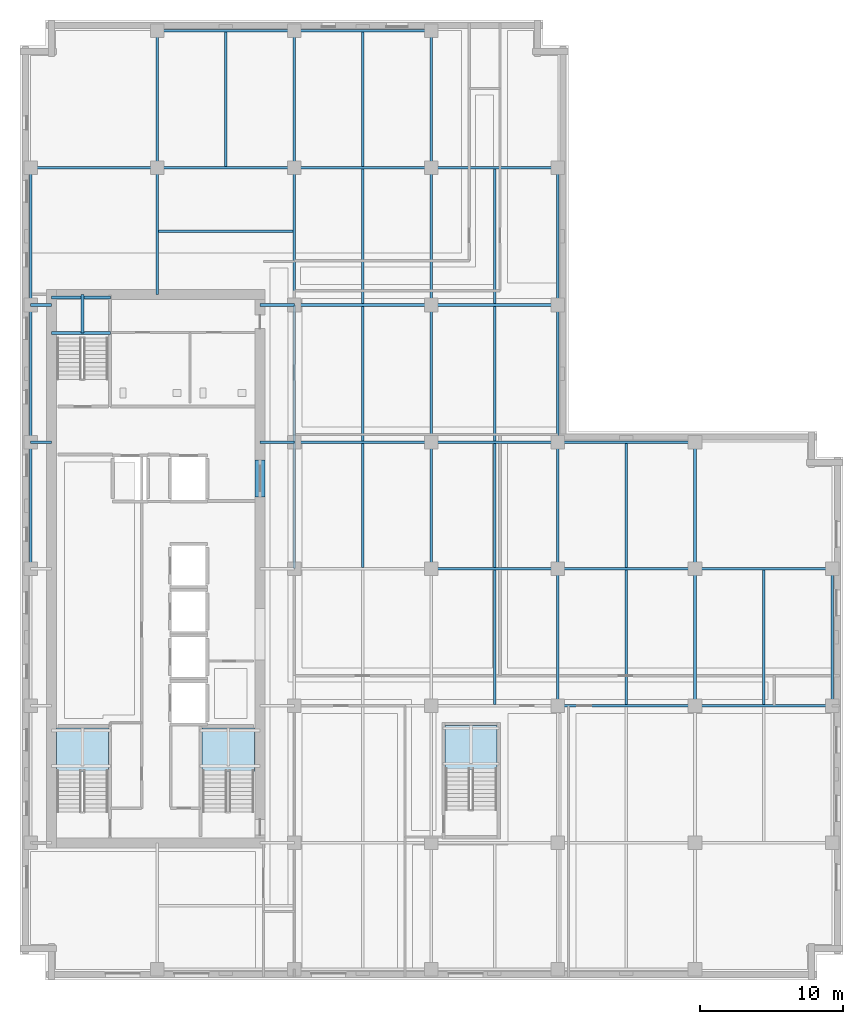
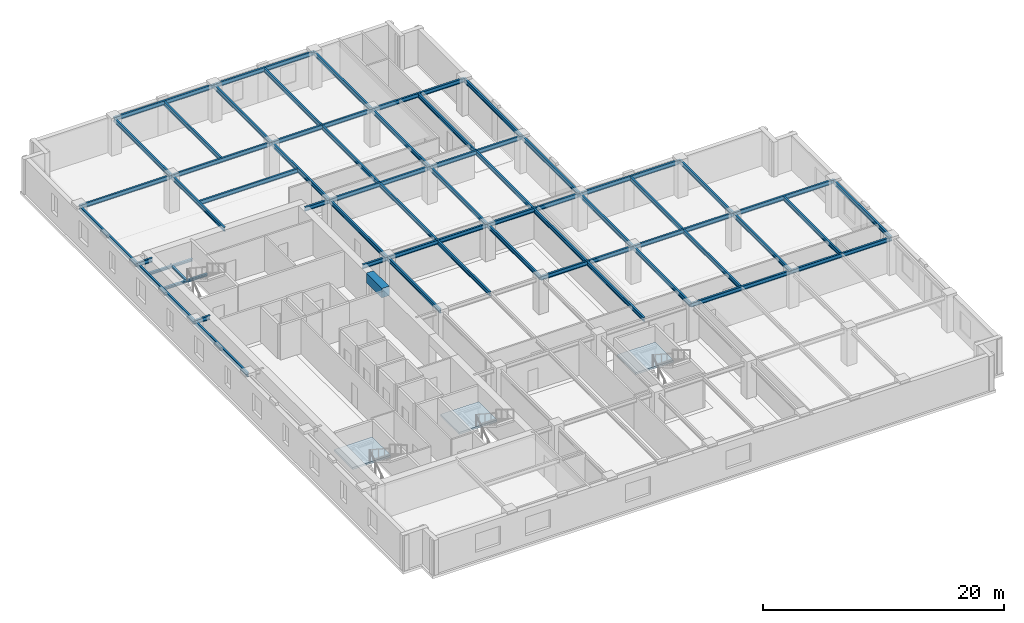
# One storey, part 2 of 13: 57 beams, 3 slabs, 3 elements without a shape of their own.
"""IFC4 building model written with IfcOpenShell, lengths in metres."""

from ifc_helpers import new_model, si_unit, direction, frame, origin, origin_2d, place, context, subcontext, project, spatial, polyline, rectangle, i_section, outline, extrude, material, layer, layer_set, material_profile, profile_set, type_object, element, aggregate, save


model = new_model("IFC4")

# Units and contexts
model_context = context("Model", 3, precision=1e-05, world=origin(), true_north=direction((0.0, 1.0)))
body_context = subcontext(model_context, "Body", "Model", "MODEL_VIEW")
ifc_project = project(units=[si_unit("LENGTHUNIT", "METRE"), si_unit("AREAUNIT", "SQUARE_METRE"), si_unit("VOLUMEUNIT", "CUBIC_METRE"), si_unit("PLANEANGLEUNIT", "RADIAN"), si_unit("MASSUNIT", "GRAM", prefix="KILO")], contexts=[model_context])

# Site, building, storey
site_placement = place(None, origin())
site = spatial("IfcSite", under=ifc_project, at=site_placement, CompositionType="ELEMENT")
building_placement = place(site_placement, origin())
building = spatial("IfcBuilding", under=site, at=building_placement, Name="Norrvale University Quadrangle", CompositionType="ELEMENT")
storey_placement = place(building_placement, frame((0.0, 0.0, 159.800048828125)))
storey = spatial("IfcBuildingStorey", under=building, at=storey_placement, Name="L40", CompositionType="ELEMENT", Elevation=159.800048828125)

# Beams
ifc_material_1 = material(Name="Steel 350W", Category="steel")
ifc_material_profile_1 = material_profile(ifc_material_1, i_section(OverallWidth=0.180908203125, OverallDepth=0.4169921875, WebThickness=0.010986328125, FlangeThickness=0.018310546875, FilletRadius=0.011962890625, at=origin_2d()), Name="Steel 350W")
ifc_profile_set_1 = profile_set([ifc_material_profile_1], Name="Steel 350W")
beam_type_1 = type_object("IfcBeamType", Name="Beam Atrium W410x85", PredefinedType="BEAM", material=ifc_profile_set_1)
for number, where, z_axis, x_axis, name in (
    (1, (37.64990234375, 19.199951171875, 3.33154296875), (1.0, 0.0, 0.0), (0.0, 1.0, 0.0), "Beam Atrium W410x85 BM-L40-GX011"),
    (2, (47.25, 19.199951171875, 3.33154296875), (1.0, 0.0, 0.0), (0.0, 1.0, 0.0), "Beam Atrium W410x85 BM-L40-GX012"),
):
    element("IfcBeam", number, at=place(storey_placement, frame(where, z_axis=z_axis, x_axis=x_axis)), inside=storey, type_object=beam_type_1, Name=name, PredefinedType="BEAM", context=body_context, shape_type="SweptSolid", body=[
        extrude(i_section(OverallWidth=0.180908203125, OverallDepth=0.4169921875, WebThickness=0.010986328125, FlangeThickness=0.018310546875, FilletRadius=0.011962890625, at=origin_2d()), origin(), (0.0, 0.0, 1.0), 9.60009765625),
    ])
beam_1_placement = place(storey_placement, frame((28.800048828125, 28.800048828125, 3.33154296875), z_axis=(1.0, 0.0, 0.0), x_axis=(0.0, 1.0, 0.0)))
element("IfcBeam", 3, at=beam_1_placement, inside=storey, type_object=beam_type_1, Name="Beam Atrium W410x85 BM-L40-GX014", PredefinedType="BEAM", context=body_context, shape_type="SweptSolid", body=[
    extrude(i_section(OverallWidth=0.180908203125, OverallDepth=0.4169921875, WebThickness=0.010986328125, FlangeThickness=0.018310546875, FilletRadius=0.011962890625, at=origin_2d()), origin(), (0.0, 0.0, 1.0), 8.849853515625),
])
for number, where, z_axis, x_axis, name in (
    (4, (37.64990234375, 28.800048828125, 3.33154296875), (1.0, 0.0, 0.0), (0.0, 1.0, 0.0), "Beam Atrium W410x85 BM-L40-GX015"),
    (5, (47.25, 28.800048828125, 3.33154296875), (1.0, 0.0, 0.0), (0.0, 1.0, 0.0), "Beam Atrium W410x85 BM-L40-GX016"),
    (6, (19.199951171875, 37.64990234375, 3.33154296875), (1.0, 0.0, 0.0), (0.0, 1.0, 0.0), "Beam Atrium W410x85 BM-L40-GX017"),
):
    element("IfcBeam", number, at=place(storey_placement, frame(where, z_axis=z_axis, x_axis=x_axis)), inside=storey, type_object=beam_type_1, Name=name, PredefinedType="BEAM", context=body_context, shape_type="SweptSolid", body=[
        extrude(i_section(OverallWidth=0.180908203125, OverallDepth=0.4169921875, WebThickness=0.010986328125, FlangeThickness=0.018310546875, FilletRadius=0.011962890625, at=origin_2d()), origin(), (0.0, 0.0, 1.0), 9.60009765625),
    ])
beam_2_placement = place(storey_placement, frame((28.800048828125, 37.64990234375, 3.33154296875), z_axis=(1.0, 0.0, 0.0), x_axis=(0.0, 1.0, 0.0)))
element("IfcBeam", 7, at=beam_2_placement, inside=storey, type_object=beam_type_1, Name="Beam Atrium W410x85 BM-L40-GX018", PredefinedType="BEAM", context=body_context, shape_type="SweptSolid", body=[
    extrude(i_section(OverallWidth=0.180908203125, OverallDepth=0.4169921875, WebThickness=0.010986328125, FlangeThickness=0.018310546875, FilletRadius=0.011962890625, at=origin_2d()), origin(), (0.0, 0.0, 1.0), 8.849853515625),
])
for number, where, z_axis, x_axis, name in (
    (8, (37.64990234375, 37.64990234375, 3.33154296875), (1.0, 0.0, 0.0), (0.0, 1.0, 0.0), "Beam Atrium W410x85 BM-L40-GX019"),
    (9, (19.199951171875, 47.25, 3.33154296875), (1.0, 0.0, 0.0), (0.0, 1.0, 0.0), "Beam Atrium W410x85 BM-L40-GX020"),
):
    element("IfcBeam", number, at=place(storey_placement, frame(where, z_axis=z_axis, x_axis=x_axis)), inside=storey, type_object=beam_type_1, Name=name, PredefinedType="BEAM", context=body_context, shape_type="SweptSolid", body=[
        extrude(i_section(OverallWidth=0.180908203125, OverallDepth=0.4169921875, WebThickness=0.010986328125, FlangeThickness=0.018310546875, FilletRadius=0.011962890625, at=origin_2d()), origin(), (0.0, 0.0, 1.0), 9.60009765625),
    ])
beam_3_placement = place(storey_placement, frame((28.800048828125, 47.25, 3.33154296875), z_axis=(1.0, 0.0, 0.0), x_axis=(0.0, 1.0, 0.0)))
element("IfcBeam", 10, at=beam_3_placement, inside=storey, type_object=beam_type_1, Name="Beam Atrium W410x85 BM-L40-GX021", PredefinedType="BEAM", context=body_context, shape_type="SweptSolid", body=[
    extrude(i_section(OverallWidth=0.180908203125, OverallDepth=0.4169921875, WebThickness=0.010986328125, FlangeThickness=0.018310546875, FilletRadius=0.011962890625, at=origin_2d()), origin(), (0.0, 0.0, 1.0), 8.849853515625),
])
beam_4_placement = place(storey_placement, frame((0.75, 56.85009765625, 3.33154296875), z_axis=(1.0, 0.0, 0.0), x_axis=(0.0, 1.0, 0.0)))
element("IfcBeam", 11, at=beam_4_placement, inside=storey, type_object=beam_type_1, Name="Beam Atrium W410x85 BM-L40-GX022", PredefinedType="BEAM", context=body_context, shape_type="SweptSolid", body=[
    extrude(i_section(OverallWidth=0.180908203125, OverallDepth=0.4169921875, WebThickness=0.010986328125, FlangeThickness=0.018310546875, FilletRadius=0.011962890625, at=origin_2d()), origin(), (0.0, 0.0, 1.0), 8.85009765625),
])
beam_5_placement = place(storey_placement, frame((9.60009765625, 56.85009765625, 3.33154296875), z_axis=(1.0, 0.0, 0.0), x_axis=(0.0, 1.0, 0.0)))
element("IfcBeam", 12, at=beam_5_placement, inside=storey, type_object=beam_type_1, Name="Beam Atrium W410x85 BM-L40-GX023", PredefinedType="BEAM", context=body_context, shape_type="SweptSolid", body=[
    extrude(i_section(OverallWidth=0.180908203125, OverallDepth=0.4169921875, WebThickness=0.010986328125, FlangeThickness=0.018310546875, FilletRadius=0.011962890625, at=origin_2d()), origin(), (0.0, 0.0, 1.0), 9.599853515625),
])
beam_6_placement = place(storey_placement, frame((19.199951171875, 56.85009765625, 3.33154296875), z_axis=(1.0, 0.0, 0.0), x_axis=(0.0, 1.0, 0.0)))
element("IfcBeam", 13, at=beam_6_placement, inside=storey, type_object=beam_type_1, Name="Beam Atrium W410x85 BM-L40-GX024", PredefinedType="BEAM", context=body_context, shape_type="SweptSolid", body=[
    extrude(i_section(OverallWidth=0.180908203125, OverallDepth=0.4169921875, WebThickness=0.010986328125, FlangeThickness=0.018310546875, FilletRadius=0.011962890625, at=origin_2d()), origin(), (0.0, 0.0, 1.0), 9.60009765625),
])
beam_7_placement = place(storey_placement, frame((28.800048828125, 56.85009765625, 3.33154296875), z_axis=(1.0, 0.0, 0.0), x_axis=(0.0, 1.0, 0.0)))
element("IfcBeam", 14, at=beam_7_placement, inside=storey, type_object=beam_type_1, Name="Beam Atrium W410x85 BM-L40-GX025", PredefinedType="BEAM", context=body_context, shape_type="SweptSolid", body=[
    extrude(i_section(OverallWidth=0.180908203125, OverallDepth=0.4169921875, WebThickness=0.010986328125, FlangeThickness=0.018310546875, FilletRadius=0.011962890625, at=origin_2d()), origin(), (0.0, 0.0, 1.0), 8.849853515625),
])
beam_8_placement = place(storey_placement, frame((9.60009765625, 66.449951171875, 3.33154296875), z_axis=(1.0, 0.0, 0.0), x_axis=(0.0, 1.0, 0.0)))
element("IfcBeam", 15, at=beam_8_placement, inside=storey, type_object=beam_type_1, Name="Beam Atrium W410x85 BM-L40-GX026", PredefinedType="BEAM", context=body_context, shape_type="SweptSolid", body=[
    extrude(i_section(OverallWidth=0.180908203125, OverallDepth=0.4169921875, WebThickness=0.010986328125, FlangeThickness=0.018310546875, FilletRadius=0.011962890625, at=origin_2d()), origin(), (0.0, 0.0, 1.0), 9.599853515625),
])
beam_9_placement = place(storey_placement, frame((19.199951171875, 66.449951171875, 3.33154296875), z_axis=(1.0, 0.0, 0.0), x_axis=(0.0, 1.0, 0.0)))
element("IfcBeam", 16, at=beam_9_placement, inside=storey, type_object=beam_type_1, Name="Beam Atrium W410x85 BM-L40-GX027", PredefinedType="BEAM", context=body_context, shape_type="SweptSolid", body=[
    extrude(i_section(OverallWidth=0.180908203125, OverallDepth=0.4169921875, WebThickness=0.010986328125, FlangeThickness=0.018310546875, FilletRadius=0.011962890625, at=origin_2d()), origin(), (0.0, 0.0, 1.0), 9.60009765625),
])
beam_10_placement = place(storey_placement, frame((0.75, 28.800048828125, 3.33154296875), z_axis=(0.0, 1.0, 0.0), x_axis=(-1.0, 0.0, 0.0)))
element("IfcBeam", 17, at=beam_10_placement, inside=storey, type_object=beam_type_1, Name="Beam Atrium W410x85 BM-L40-GY030", PredefinedType="BEAM", context=body_context, shape_type="SweptSolid", body=[
    extrude(i_section(OverallWidth=0.180908203125, OverallDepth=0.4169921875, WebThickness=0.010986328125, FlangeThickness=0.018310546875, FilletRadius=0.011962890625, at=origin_2d()), origin(), (0.0, 0.0, 1.0), 8.849853515625),
])
for number, where, z_axis, x_axis, name in (
    (18, (0.75, 37.64990234375, 3.33154296875), (0.0, 1.0, 0.0), (-1.0, 0.0, 0.0), "Beam Atrium W410x85 BM-L40-GY031"),
    (19, (0.75, 47.25, 3.33154296875), (0.0, 1.0, 0.0), (-1.0, 0.0, 0.0), "Beam Atrium W410x85 BM-L40-GY032"),
):
    element("IfcBeam", number, at=place(storey_placement, frame(where, z_axis=z_axis, x_axis=x_axis)), inside=storey, type_object=beam_type_1, Name=name, PredefinedType="BEAM", context=body_context, shape_type="SweptSolid", body=[
        extrude(i_section(OverallWidth=0.180908203125, OverallDepth=0.4169921875, WebThickness=0.010986328125, FlangeThickness=0.018310546875, FilletRadius=0.011962890625, at=origin_2d()), origin(), (0.0, 0.0, 1.0), 9.60009765625),
    ])
beam_11_placement = place(storey_placement, frame((9.60009765625, 56.85009765625, 3.33154296875), z_axis=(0.0, 1.0, 0.0), x_axis=(-1.0, 0.0, 0.0)))
element("IfcBeam", 20, at=beam_11_placement, inside=storey, type_object=beam_type_1, Name="Beam Atrium W410x85 BM-L40-GY033", PredefinedType="BEAM", context=body_context, shape_type="SweptSolid", body=[
    extrude(i_section(OverallWidth=0.180908203125, OverallDepth=0.4169921875, WebThickness=0.010986328125, FlangeThickness=0.018310546875, FilletRadius=0.011962890625, at=origin_2d()), origin(), (0.0, 0.0, 1.0), 9.599853515625),
])
beam_12_placement = place(storey_placement, frame((19.199951171875, 28.800048828125, 3.33154296875), z_axis=(0.0, 1.0, 0.0), x_axis=(-1.0, 0.0, 0.0)))
element("IfcBeam", 21, at=beam_12_placement, inside=storey, type_object=beam_type_1, Name="Beam Atrium W410x85 BM-L40-GY037", PredefinedType="BEAM", context=body_context, shape_type="SweptSolid", body=[
    extrude(i_section(OverallWidth=0.180908203125, OverallDepth=0.4169921875, WebThickness=0.010986328125, FlangeThickness=0.018310546875, FilletRadius=0.011962890625, at=origin_2d()), origin(), (0.0, 0.0, 1.0), 8.849853515625),
])
for number, where, z_axis, x_axis, name in (
    (22, (19.199951171875, 37.64990234375, 3.33154296875), (0.0, 1.0, 0.0), (-1.0, 0.0, 0.0), "Beam Atrium W410x85 BM-L40-GY038"),
    (23, (19.199951171875, 47.25, 3.33154296875), (0.0, 1.0, 0.0), (-1.0, 0.0, 0.0), "Beam Atrium W410x85 BM-L40-GY039"),
):
    element("IfcBeam", number, at=place(storey_placement, frame(where, z_axis=z_axis, x_axis=x_axis)), inside=storey, type_object=beam_type_1, Name=name, PredefinedType="BEAM", context=body_context, shape_type="SweptSolid", body=[
        extrude(i_section(OverallWidth=0.180908203125, OverallDepth=0.4169921875, WebThickness=0.010986328125, FlangeThickness=0.018310546875, FilletRadius=0.011962890625, at=origin_2d()), origin(), (0.0, 0.0, 1.0), 9.60009765625),
    ])
beam_13_placement = place(storey_placement, frame((19.199951171875, 56.85009765625, 3.33154296875), z_axis=(0.0, 1.0, 0.0), x_axis=(-1.0, 0.0, 0.0)))
element("IfcBeam", 24, at=beam_13_placement, inside=storey, type_object=beam_type_1, Name="Beam Atrium W410x85 BM-L40-GY040", PredefinedType="BEAM", context=body_context, shape_type="SweptSolid", body=[
    extrude(i_section(OverallWidth=0.180908203125, OverallDepth=0.4169921875, WebThickness=0.010986328125, FlangeThickness=0.018310546875, FilletRadius=0.011962890625, at=origin_2d()), origin(), (0.0, 0.0, 1.0), 9.599853515625),
])
beam_14_placement = place(storey_placement, frame((28.800048828125, 28.800048828125, 3.33154296875), z_axis=(0.0, 1.0, 0.0), x_axis=(-1.0, 0.0, 0.0)))
element("IfcBeam", 25, at=beam_14_placement, inside=storey, type_object=beam_type_1, Name="Beam Atrium W410x85 BM-L40-GY044", PredefinedType="BEAM", context=body_context, shape_type="SweptSolid", body=[
    extrude(i_section(OverallWidth=0.180908203125, OverallDepth=0.4169921875, WebThickness=0.010986328125, FlangeThickness=0.018310546875, FilletRadius=0.011962890625, at=origin_2d()), origin(), (0.0, 0.0, 1.0), 8.849853515625),
])
for number, where, z_axis, x_axis, name in (
    (26, (28.800048828125, 37.64990234375, 3.33154296875), (0.0, 1.0, 0.0), (-1.0, 0.0, 0.0), "Beam Atrium W410x85 BM-L40-GY045"),
    (27, (28.800048828125, 47.25, 3.33154296875), (0.0, 1.0, 0.0), (-1.0, 0.0, 0.0), "Beam Atrium W410x85 BM-L40-GY046"),
):
    element("IfcBeam", number, at=place(storey_placement, frame(where, z_axis=z_axis, x_axis=x_axis)), inside=storey, type_object=beam_type_1, Name=name, PredefinedType="BEAM", context=body_context, shape_type="SweptSolid", body=[
        extrude(i_section(OverallWidth=0.180908203125, OverallDepth=0.4169921875, WebThickness=0.010986328125, FlangeThickness=0.018310546875, FilletRadius=0.011962890625, at=origin_2d()), origin(), (0.0, 0.0, 1.0), 9.60009765625),
    ])
beam_15_placement = place(storey_placement, frame((28.800048828125, 56.85009765625, 3.33154296875), z_axis=(0.0, 1.0, 0.0), x_axis=(-1.0, 0.0, 0.0)))
element("IfcBeam", 28, at=beam_15_placement, inside=storey, type_object=beam_type_1, Name="Beam Atrium W410x85 BM-L40-GY047", PredefinedType="BEAM", context=body_context, shape_type="SweptSolid", body=[
    extrude(i_section(OverallWidth=0.180908203125, OverallDepth=0.4169921875, WebThickness=0.010986328125, FlangeThickness=0.018310546875, FilletRadius=0.011962890625, at=origin_2d()), origin(), (0.0, 0.0, 1.0), 9.599853515625),
])
beam_16_placement = place(storey_placement, frame((37.64990234375, 19.199951171875, 3.33154296875), z_axis=(0.0, 1.0, 0.0), x_axis=(-1.0, 0.0, 0.0)))
element("IfcBeam", 29, at=beam_16_placement, inside=storey, type_object=beam_type_1, Name="Beam Atrium W410x85 BM-L40-GY050", PredefinedType="BEAM", context=body_context, shape_type="SweptSolid", body=[
    extrude(i_section(OverallWidth=0.180908203125, OverallDepth=0.4169921875, WebThickness=0.010986328125, FlangeThickness=0.018310546875, FilletRadius=0.011962890625, at=origin_2d()), origin(), (0.0, 0.0, 1.0), 9.60009765625),
])
beam_17_placement = place(storey_placement, frame((37.64990234375, 28.800048828125, 3.33154296875), z_axis=(0.0, 1.0, 0.0), x_axis=(-1.0, 0.0, 0.0)))
element("IfcBeam", 30, at=beam_17_placement, inside=storey, type_object=beam_type_1, Name="Beam Atrium W410x85 BM-L40-GY051", PredefinedType="BEAM", context=body_context, shape_type="SweptSolid", body=[
    extrude(i_section(OverallWidth=0.180908203125, OverallDepth=0.4169921875, WebThickness=0.010986328125, FlangeThickness=0.018310546875, FilletRadius=0.011962890625, at=origin_2d()), origin(), (0.0, 0.0, 1.0), 8.849853515625),
])
for number, where, z_axis, x_axis, name in (
    (31, (37.64990234375, 37.64990234375, 3.33154296875), (0.0, 1.0, 0.0), (-1.0, 0.0, 0.0), "Beam Atrium W410x85 BM-L40-GY052"),
    (32, (37.64990234375, 47.25, 3.33154296875), (0.0, 1.0, 0.0), (-1.0, 0.0, 0.0), "Beam Atrium W410x85 BM-L40-GY053"),
    (33, (47.25, 19.199951171875, 3.33154296875), (0.0, 1.0, 0.0), (-1.0, 0.0, 0.0), "Beam Atrium W410x85 BM-L40-GY056"),
):
    element("IfcBeam", number, at=place(storey_placement, frame(where, z_axis=z_axis, x_axis=x_axis)), inside=storey, type_object=beam_type_1, Name=name, PredefinedType="BEAM", context=body_context, shape_type="SweptSolid", body=[
        extrude(i_section(OverallWidth=0.180908203125, OverallDepth=0.4169921875, WebThickness=0.010986328125, FlangeThickness=0.018310546875, FilletRadius=0.011962890625, at=origin_2d()), origin(), (0.0, 0.0, 1.0), 9.60009765625),
    ])
beam_18_placement = place(storey_placement, frame((47.25, 28.800048828125, 3.33154296875), z_axis=(0.0, 1.0, 0.0), x_axis=(-1.0, 0.0, 0.0)))
element("IfcBeam", 34, at=beam_18_placement, inside=storey, type_object=beam_type_1, Name="Beam Atrium W410x85 BM-L40-GY057", PredefinedType="BEAM", context=body_context, shape_type="SweptSolid", body=[
    extrude(i_section(OverallWidth=0.180908203125, OverallDepth=0.4169921875, WebThickness=0.010986328125, FlangeThickness=0.018310546875, FilletRadius=0.011962890625, at=origin_2d()), origin(), (0.0, 0.0, 1.0), 8.849853515625),
])
beam_19_placement = place(storey_placement, frame((56.85009765625, 19.199951171875, 3.33154296875), z_axis=(0.0, 1.0, 0.0), x_axis=(-1.0, 0.0, 0.0)))
element("IfcBeam", 35, at=beam_19_placement, inside=storey, type_object=beam_type_1, Name="Beam Atrium W410x85 BM-L40-GY059", PredefinedType="BEAM", context=body_context, shape_type="SweptSolid", body=[
    extrude(i_section(OverallWidth=0.180908203125, OverallDepth=0.4169921875, WebThickness=0.010986328125, FlangeThickness=0.018310546875, FilletRadius=0.011962890625, at=origin_2d()), origin(), (0.0, 0.0, 1.0), 9.60009765625),
])
beam_20_placement = place(storey_placement, frame((0.75, 37.64990234375, 3.33154296875), z_axis=(1.0, 0.0, 0.0), x_axis=(0.0, 1.0, 0.0)))
element("IfcBeam", 36, at=beam_20_placement, inside=storey, type_object=beam_type_1, Name="Beam Atrium W410x85 BM-L40-GCW066", PredefinedType="BEAM", context=body_context, shape_type="SweptSolid", body=[
    extrude(i_section(OverallWidth=0.180908203125, OverallDepth=0.4169921875, WebThickness=0.010986328125, FlangeThickness=0.018310546875, FilletRadius=0.011962890625, at=origin_2d()), origin(), (0.0, 0.0, 1.0), 1.449951171875),
])
beam_21_placement = place(storey_placement, frame((16.800048828125, 37.64990234375, 3.33154296875), z_axis=(1.0, 0.0, 0.0), x_axis=(0.0, 1.0, 0.0)))
element("IfcBeam", 37, at=beam_21_placement, inside=storey, type_object=beam_type_1, Name="Beam Atrium W410x85 BM-L40-GCE067", PredefinedType="BEAM", context=body_context, shape_type="SweptSolid", body=[
    extrude(i_section(OverallWidth=0.180908203125, OverallDepth=0.4169921875, WebThickness=0.010986328125, FlangeThickness=0.018310546875, FilletRadius=0.011962890625, at=origin_2d()), origin(), (0.0, 0.0, 1.0), 2.39990234375),
])
beam_22_placement = place(storey_placement, frame((0.75, 47.25, 3.33154296875), z_axis=(1.0, 0.0, 0.0), x_axis=(0.0, 1.0, 0.0)))
element("IfcBeam", 38, at=beam_22_placement, inside=storey, type_object=beam_type_1, Name="Beam Atrium W410x85 BM-L40-GCW068", PredefinedType="BEAM", context=body_context, shape_type="SweptSolid", body=[
    extrude(i_section(OverallWidth=0.180908203125, OverallDepth=0.4169921875, WebThickness=0.010986328125, FlangeThickness=0.018310546875, FilletRadius=0.011962890625, at=origin_2d()), origin(), (0.0, 0.0, 1.0), 1.449951171875),
])
beam_23_placement = place(storey_placement, frame((16.800048828125, 47.25, 3.33154296875), z_axis=(1.0, 0.0, 0.0), x_axis=(0.0, 1.0, 0.0)))
element("IfcBeam", 39, at=beam_23_placement, inside=storey, type_object=beam_type_1, Name="Beam Atrium W410x85 BM-L40-GCE069", PredefinedType="BEAM", context=body_context, shape_type="SweptSolid", body=[
    extrude(i_section(OverallWidth=0.180908203125, OverallDepth=0.4169921875, WebThickness=0.010986328125, FlangeThickness=0.018310546875, FilletRadius=0.011962890625, at=origin_2d()), origin(), (0.0, 0.0, 1.0), 2.39990234375),
])
beam_24_placement = place(storey_placement, frame((9.60009765625, 48.0, 3.33154296875), z_axis=(0.0, 1.0, 0.0), x_axis=(-1.0, 0.0, 0.0)))
element("IfcBeam", 40, at=beam_24_placement, inside=storey, type_object=beam_type_1, Name="Beam Atrium W410x85 BM-L40-GCN091", PredefinedType="BEAM", context=body_context, shape_type="SweptSolid", body=[
    extrude(i_section(OverallWidth=0.180908203125, OverallDepth=0.4169921875, WebThickness=0.010986328125, FlangeThickness=0.018310546875, FilletRadius=0.011962890625, at=origin_2d()), origin(), (0.0, 0.0, 1.0), 8.85009765625),
])
ifc_material_2 = material(Name="Concrete C80/95", Category="concrete")
ifc_material_profile_2 = material_profile(ifc_material_2, rectangle(XDim=0.699951171875, YDim=0.949951171875, at=origin_2d()), Name="Concrete C80/95")
ifc_profile_set_2 = profile_set([ifc_material_profile_2], Name="Concrete C80/95")
beam_type_2 = type_object("IfcBeamType", Name="Beam Core Link 700x950", PredefinedType="LINTEL", material=ifc_profile_set_2)
beam_25_placement = place(storey_placement, frame((16.800048828125, 33.800048828125, 3.06494140625), z_axis=(0.0, 1.0, 0.0), x_axis=(-1.0, 0.0, 0.0)))
element("IfcBeam", 41, at=beam_25_placement, inside=storey, type_object=beam_type_2, Name="Core Coupling Lintel Beam L40-2", PredefinedType="LINTEL", context=body_context, shape_type="SweptSolid", body=[
    extrude(rectangle(XDim=0.699951171875, YDim=0.949951171875, at=origin_2d()), origin(), (0.0, 0.0, 1.0), 2.599853515625),
])
ifc_material_profile_3 = material_profile(ifc_material_1, i_section(OverallWidth=0.177978515625, OverallDepth=0.406982421875, WebThickness=0.0078125, FlangeThickness=0.0126953125, FilletRadius=0.011962890625, at=origin_2d()), Name="Steel 350W")
ifc_profile_set_3 = profile_set([ifc_material_profile_3], Name="Steel 350W")
beam_type_3 = type_object("IfcBeamType", Name="Beam Roof Purlin W410x60", PredefinedType="USERDEFINED", material=ifc_profile_set_3)
beam_26_placement = place(storey_placement, frame((14.39990234375, 56.9404296875, 3.33642578125), z_axis=(0.0, 1.0, 0.0), x_axis=(-1.0, 0.0, 0.0)))
element("IfcBeam", 42, at=beam_26_placement, inside=storey, type_object=beam_type_3, Name="Beam Roof Purlin W410x60 BM-L40-J070", ObjectType="PURLIN", PredefinedType="USERDEFINED", context=body_context, shape_type="SweptSolid", body=[
    extrude(i_section(OverallWidth=0.177978515625, OverallDepth=0.406982421875, WebThickness=0.0078125, FlangeThickness=0.0126953125, FilletRadius=0.011962890625, at=origin_2d()), origin(), (0.0, 0.0, 1.0), 9.419189453125),
])
beam_27_placement = place(storey_placement, frame((24.0, 28.890380859375, 3.33642578125), z_axis=(0.0, 1.0, 0.0), x_axis=(-1.0, 0.0, 0.0)))
element("IfcBeam", 43, at=beam_27_placement, inside=storey, type_object=beam_type_3, Name="Beam Roof Purlin W410x60 BM-L40-J074", ObjectType="PURLIN", PredefinedType="USERDEFINED", context=body_context, shape_type="SweptSolid", body=[
    extrude(i_section(OverallWidth=0.177978515625, OverallDepth=0.406982421875, WebThickness=0.0078125, FlangeThickness=0.0126953125, FilletRadius=0.011962890625, at=origin_2d()), origin(), (0.0, 0.0, 1.0), 8.669189453125),
])
for number, where, z_axis, x_axis, name in (
    (44, (24.0, 37.740478515625, 3.33642578125), (0.0, 1.0, 0.0), (-1.0, 0.0, 0.0), "Beam Roof Purlin W410x60 BM-L40-J075"),
    (45, (24.0, 47.340576171875, 3.33642578125), (0.0, 1.0, 0.0), (-1.0, 0.0, 0.0), "Beam Roof Purlin W410x60 BM-L40-J076"),
):
    element("IfcBeam", number, at=place(storey_placement, frame(where, z_axis=z_axis, x_axis=x_axis)), inside=storey, type_object=beam_type_3, Name=name, ObjectType="PURLIN", PredefinedType="USERDEFINED", context=body_context, shape_type="SweptSolid", body=[
        extrude(i_section(OverallWidth=0.177978515625, OverallDepth=0.406982421875, WebThickness=0.0078125, FlangeThickness=0.0126953125, FilletRadius=0.011962890625, at=origin_2d()), origin(), (0.0, 0.0, 1.0), 9.4189453125),
    ])
beam_28_placement = place(storey_placement, frame((24.0, 56.9404296875, 3.33642578125), z_axis=(0.0, 1.0, 0.0), x_axis=(-1.0, 0.0, 0.0)))
element("IfcBeam", 46, at=beam_28_placement, inside=storey, type_object=beam_type_3, Name="Beam Roof Purlin W410x60 BM-L40-J077", ObjectType="PURLIN", PredefinedType="USERDEFINED", context=body_context, shape_type="SweptSolid", body=[
    extrude(i_section(OverallWidth=0.177978515625, OverallDepth=0.406982421875, WebThickness=0.0078125, FlangeThickness=0.0126953125, FilletRadius=0.011962890625, at=origin_2d()), origin(), (0.0, 0.0, 1.0), 9.419189453125),
])
beam_29_placement = place(storey_placement, frame((33.22509765625, 19.29052734375, 3.33642578125), z_axis=(0.0, 1.0, 0.0), x_axis=(-1.0, 0.0, 0.0)))
element("IfcBeam", 47, at=beam_29_placement, inside=storey, type_object=beam_type_3, Name="Beam Roof Purlin W410x60 BM-L40-J079", ObjectType="PURLIN", PredefinedType="USERDEFINED", context=body_context, shape_type="SweptSolid", body=[
    extrude(i_section(OverallWidth=0.177978515625, OverallDepth=0.406982421875, WebThickness=0.0078125, FlangeThickness=0.0126953125, FilletRadius=0.011962890625, at=origin_2d()), origin(), (0.0, 0.0, 1.0), 9.4189453125),
])
beam_30_placement = place(storey_placement, frame((33.22509765625, 28.890380859375, 3.33642578125), z_axis=(0.0, 1.0, 0.0), x_axis=(-1.0, 0.0, 0.0)))
element("IfcBeam", 48, at=beam_30_placement, inside=storey, type_object=beam_type_3, Name="Beam Roof Purlin W410x60 BM-L40-J080", ObjectType="PURLIN", PredefinedType="USERDEFINED", context=body_context, shape_type="SweptSolid", body=[
    extrude(i_section(OverallWidth=0.177978515625, OverallDepth=0.406982421875, WebThickness=0.0078125, FlangeThickness=0.0126953125, FilletRadius=0.011962890625, at=origin_2d()), origin(), (0.0, 0.0, 1.0), 8.669189453125),
])
for number, where, z_axis, x_axis, name in (
    (49, (33.22509765625, 37.740478515625, 3.33642578125), (0.0, 1.0, 0.0), (-1.0, 0.0, 0.0), "Beam Roof Purlin W410x60 BM-L40-J081"),
    (50, (33.22509765625, 47.340576171875, 3.33642578125), (0.0, 1.0, 0.0), (-1.0, 0.0, 0.0), "Beam Roof Purlin W410x60 BM-L40-J082"),
    (51, (42.449951171875, 19.29052734375, 3.33642578125), (0.0, 1.0, 0.0), (-1.0, 0.0, 0.0), "Beam Roof Purlin W410x60 BM-L40-J085"),
):
    element("IfcBeam", number, at=place(storey_placement, frame(where, z_axis=z_axis, x_axis=x_axis)), inside=storey, type_object=beam_type_3, Name=name, ObjectType="PURLIN", PredefinedType="USERDEFINED", context=body_context, shape_type="SweptSolid", body=[
        extrude(i_section(OverallWidth=0.177978515625, OverallDepth=0.406982421875, WebThickness=0.0078125, FlangeThickness=0.0126953125, FilletRadius=0.011962890625, at=origin_2d()), origin(), (0.0, 0.0, 1.0), 9.4189453125),
    ])
beam_31_placement = place(storey_placement, frame((42.449951171875, 28.890380859375, 3.33642578125), z_axis=(0.0, 1.0, 0.0), x_axis=(-1.0, 0.0, 0.0)))
element("IfcBeam", 52, at=beam_31_placement, inside=storey, type_object=beam_type_3, Name="Beam Roof Purlin W410x60 BM-L40-J086", ObjectType="PURLIN", PredefinedType="USERDEFINED", context=body_context, shape_type="SweptSolid", body=[
    extrude(i_section(OverallWidth=0.177978515625, OverallDepth=0.406982421875, WebThickness=0.0078125, FlangeThickness=0.0126953125, FilletRadius=0.011962890625, at=origin_2d()), origin(), (0.0, 0.0, 1.0), 8.669189453125),
])
beam_32_placement = place(storey_placement, frame((52.050048828125, 19.29052734375, 3.33642578125), z_axis=(0.0, 1.0, 0.0), x_axis=(-1.0, 0.0, 0.0)))
element("IfcBeam", 53, at=beam_32_placement, inside=storey, type_object=beam_type_3, Name="Beam Roof Purlin W410x60 BM-L40-J088", ObjectType="PURLIN", PredefinedType="USERDEFINED", context=body_context, shape_type="SweptSolid", body=[
    extrude(i_section(OverallWidth=0.177978515625, OverallDepth=0.406982421875, WebThickness=0.0078125, FlangeThickness=0.0126953125, FilletRadius=0.011962890625, at=origin_2d()), origin(), (0.0, 0.0, 1.0), 9.4189453125),
])
beam_33_placement = place(storey_placement, frame((9.6904296875, 52.39990234375, 3.33642578125), z_axis=(1.0, 0.0, 0.0), x_axis=(0.0, 1.0, 0.0)))
element("IfcBeam", 54, at=beam_33_placement, inside=storey, type_object=beam_type_3, Name="Beam Roof Purlin W410x60 BM-L40-JCN092", ObjectType="PURLIN", PredefinedType="USERDEFINED", context=body_context, shape_type="SweptSolid", body=[
    extrude(i_section(OverallWidth=0.177978515625, OverallDepth=0.406982421875, WebThickness=0.0078125, FlangeThickness=0.0126953125, FilletRadius=0.011962890625, at=origin_2d()), origin(), (0.0, 0.0, 1.0), 9.419189453125),
])
ifc_material_profile_4 = material_profile(ifc_material_1, i_section(OverallWidth=0.201904296875, OverallDepth=0.2470703125, WebThickness=0.00732421875, FlangeThickness=0.010986328125, FilletRadius=0.011962890625, at=origin_2d()), Name="Steel 350W")
ifc_profile_set_4 = profile_set([ifc_material_profile_4], Name="Steel 350W")
beam_type_4 = type_object("IfcBeamType", Name="Beam Stair W250x49", PredefinedType="BEAM", material=ifc_profile_set_4)
for number, where, z_axis, x_axis, name in (
    (55, (2.199951171875, 45.2900390625, 1.576416015625), (1.0, 0.0, 0.0), (0.0, 1.0, 0.0), "Stair Mid-Landing Front Beam ST-02 L40"),
    (56, (2.199951171875, 47.77001953125, 1.576416015625), (1.0, 0.0, 0.0), (0.0, 1.0, 0.0), "Stair Mid-Landing Rear Beam ST-02 L40"),
):
    element("IfcBeam", number, at=place(storey_placement, frame(where, z_axis=z_axis, x_axis=x_axis)), inside=storey, type_object=beam_type_4, Name=name, PredefinedType="BEAM", context=body_context, shape_type="SweptSolid", body=[
        extrude(i_section(OverallWidth=0.201904296875, OverallDepth=0.2470703125, WebThickness=0.00732421875, FlangeThickness=0.010986328125, FilletRadius=0.011962890625, at=origin_2d()), origin(), (0.0, 0.0, 1.0), 4.14013671875),
    ])
ifc_material_profile_5 = material_profile(ifc_material_1, i_section(OverallWidth=0.202880859375, OverallDepth=0.202880859375, WebThickness=0.007080078125, FlangeThickness=0.010986328125, FilletRadius=0.010009765625, at=origin_2d()), Name="Steel 350W")
ifc_profile_set_5 = profile_set([ifc_material_profile_5], Name="Steel 350W")
beam_type_5 = type_object("IfcBeamType", Name="Beam Trim W200x46", PredefinedType="BEAM", material=ifc_profile_set_5)
beam_34_placement = place(storey_placement, frame((4.375, 45.2900390625, 1.598388671875), z_axis=(0.0, 1.0, 0.0), x_axis=(-1.0, 0.0, 0.0)))
element("IfcBeam", 57, at=beam_34_placement, inside=storey, type_object=beam_type_5, Name="Stair Mid-Landing Cross Beam ST-02 L40", PredefinedType="BEAM", context=body_context, shape_type="SweptSolid", body=[
    extrude(i_section(OverallWidth=0.202880859375, OverallDepth=0.202880859375, WebThickness=0.007080078125, FlangeThickness=0.010986328125, FilletRadius=0.010009765625, at=origin_2d()), origin(), (0.0, 0.0, 1.0), 2.7099609375),
])

# Stair, slab
ifc_material_3 = material(Name="Concrete C40/50", Category="concrete")
stair_type = type_object("IfcStairType", Name="Stair Tower Typ 3800", PredefinedType="TWO_STRAIGHT_RUN_STAIR", material=ifc_material_3)
stair_1_placement = place(storey_placement, origin())
stair_1 = element("IfcStair", 58, at=stair_1_placement, inside=storey, type_object=stair_type, Name="Exit Stair ST-01 L40", PredefinedType="TWO_STRAIGHT_RUN_STAIR")
ifc_layer = layer(ifc_material_3, 0.199951171875, Name="Concrete C40/50")
ifc_layer_set = layer_set([ifc_layer], Name="Concrete C40/50")
slab_type = type_object("IfcSlabType", Name="Slab Landing 200", PredefinedType="LANDING", material=ifc_layer_set)
slab_1_placement = place(storey_placement, frame((0.0, 0.0, 1.699951171875)))
slab_1 = element("IfcSlab", 59, at=slab_1_placement, type_object=slab_type, Name="Exit Stair ST-01 L40 Mid Landing", PredefinedType="LANDING", context=body_context, shape_type="SweptSolid", body=[
    extrude(outline(polyline([(2.550048828125, 14.590087890625), (6.199951171875, 14.590087890625), (6.199951171875, 17.64990234375), (2.550048828125, 17.64990234375), (2.550048828125, 14.590087890625)])), origin(), (0.0, 0.0, 1.0), 0.199951171875),
])
aggregate(stair_1, [slab_1])

stair_2_placement = place(storey_placement, origin())
stair_2 = element("IfcStair", 60, at=stair_2_placement, inside=storey, type_object=stair_type, Name="Exit Stair ST-03 L40", PredefinedType="TWO_STRAIGHT_RUN_STAIR")
slab_2_placement = place(storey_placement, frame((0.0, 0.0, 1.699951171875)))
slab_2 = element("IfcSlab", 61, at=slab_2_placement, type_object=slab_type, Name="Exit Stair ST-03 L40 Mid Landing", PredefinedType="LANDING", context=body_context, shape_type="SweptSolid", body=[
    extrude(outline(polyline([(12.75, 14.590087890625), (16.39990234375, 14.590087890625), (16.39990234375, 17.64990234375), (12.75, 17.64990234375), (12.75, 14.590087890625)])), origin(), (0.0, 0.0, 1.0), 0.199951171875),
])
aggregate(stair_2, [slab_2])

stair_3_placement = place(storey_placement, origin())
stair_3 = element("IfcStair", 62, at=stair_3_placement, inside=storey, type_object=stair_type, Name="Exit Stair ST-04 L40", PredefinedType="TWO_STRAIGHT_RUN_STAIR")
slab_3_placement = place(storey_placement, frame((0.0, 0.0, 1.699951171875)))
slab_3 = element("IfcSlab", 63, at=slab_3_placement, type_object=slab_type, Name="Exit Stair ST-04 L40 Mid Landing", PredefinedType="LANDING", context=body_context, shape_type="SweptSolid", body=[
    extrude(outline(polyline([(29.75, 14.739990234375), (33.39990234375, 14.739990234375), (33.39990234375, 17.800048828125), (29.75, 17.800048828125), (29.75, 14.739990234375)])), origin(), (0.0, 0.0, 1.0), 0.199951171875),
])
aggregate(stair_3, [slab_3])

save(model, "model.ifc")
